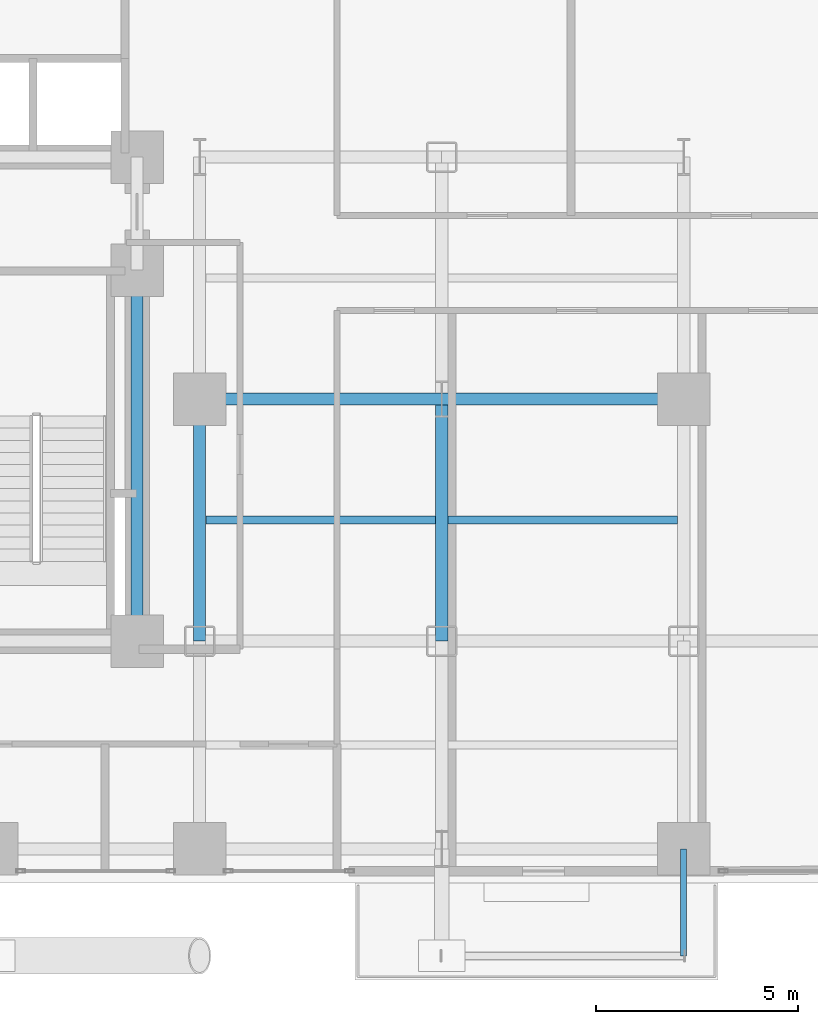
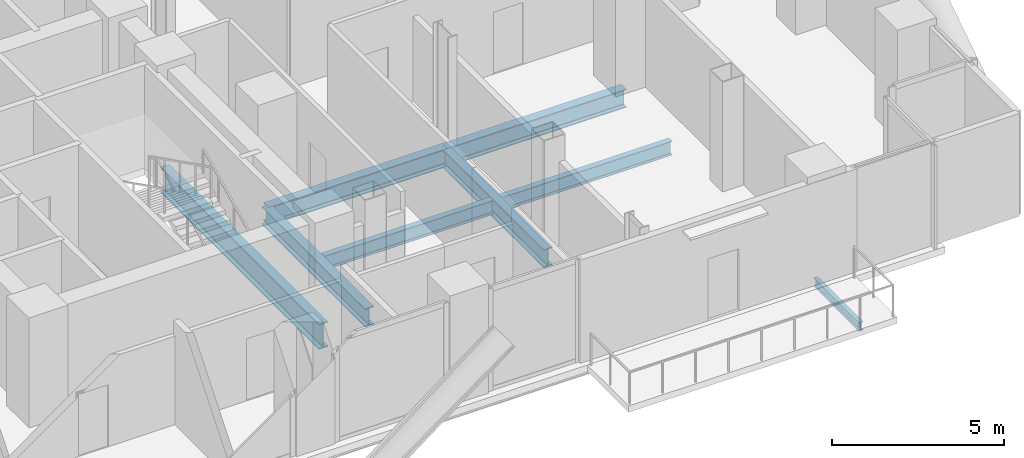
# One storey, part 9 of 27: 8 beams.
"""IFC4 building model written with IfcOpenShell, lengths in metres."""

from ifc_helpers import new_model, si_unit, direction, frame, origin, origin_2d, place, context, subcontext, project, spatial, i_section, extrude, material, material_profile, profile_set, type_object, element, save


model = new_model("IFC4")

# Units and contexts
model_context = context("Model", 3, precision=1e-05, world=origin(), true_north=direction((0.0, 1.0)))
body_context = subcontext(model_context, "Body", "Model", "MODEL_VIEW")
ifc_project = project(units=[si_unit("LENGTHUNIT", "METRE"), si_unit("AREAUNIT", "SQUARE_METRE"), si_unit("VOLUMEUNIT", "CUBIC_METRE"), si_unit("PLANEANGLEUNIT", "RADIAN"), si_unit("MASSUNIT", "GRAM", prefix="KILO"), si_unit("THERMODYNAMICTEMPERATUREUNIT", "KELVIN"), si_unit("POWERUNIT", "WATT")], contexts=[model_context])

# Site, building, storey
site_placement = place(None, origin())
site = spatial("IfcSite", under=ifc_project, at=site_placement, CompositionType="ELEMENT")
building_placement = place(site_placement, origin())
building = spatial("IfcBuilding", under=site, at=building_placement, Name="Svarakhadi Broadcast Tower", CompositionType="ELEMENT")
storey_placement = place(building_placement, frame((0.0, 0.0, 71.39990234375)))
storey = spatial("IfcBuildingStorey", under=building, at=storey_placement, Name="L16", CompositionType="ELEMENT", Elevation=71.39990234375)

# Beams
ifc_material_1 = material(Name="Steel S355J2 (IS 2062 E350C)", Category="steel")
ifc_material_profile_1 = material_profile(ifc_material_1, i_section(OverallWidth=0.199951171875, OverallDepth=0.5, WebThickness=0.01025390625, FlangeThickness=0.01611328125, FilletRadius=0.02099609375, at=origin_2d()), Name="NPB 500x200x91")
ifc_profile_set_1 = profile_set([ifc_material_profile_1], Name="Steel S355J2 (IS 2062 E350C)")
beam_type_1 = type_object("IfcBeamType", Name="Beam_NPB500", PredefinedType="BEAM", material=ifc_profile_set_1)
for number, where, z_axis, x_axis, name in (
    (1, (35.31005859375, 9.0, -0.5), (1.0, 0.0, 0.0), (0.0, 1.0, 0.0), "L16 Secondary Composite Beam SB023"),
    (2, (41.31005859375, 9.0, -0.5), (1.0, 0.0, 0.0), (0.0, 1.0, 0.0), "L16 Secondary Composite Beam SB026"),
):
    element("IfcBeam", number, at=place(storey_placement, frame(where, z_axis=z_axis, x_axis=x_axis)), inside=storey, type_object=beam_type_1, Name=name, PredefinedType="BEAM", context=body_context, shape_type="SweptSolid", body=[
        extrude(i_section(OverallWidth=0.199951171875, OverallDepth=0.5, WebThickness=0.01025390625, FlangeThickness=0.01611328125, FilletRadius=0.02099609375, at=origin_2d()), origin(), (0.0, 0.0, 1.0), 5.679931640625),
    ])
ifc_material_profile_2 = material_profile(ifc_material_1, i_section(OverallWidth=0.300048828125, OverallDepth=0.64990234375, WebThickness=0.01611328125, FlangeThickness=0.031005859375, FilletRadius=0.027099609375, at=origin_2d()), Name="WPB 650x300x225")
ifc_profile_set_2 = profile_set([ifc_material_profile_2], Name="Steel S355J2 (IS 2062 E350C)")
beam_type_2 = type_object("IfcBeamType", Name="Girder_WPB650", PredefinedType="USERDEFINED", material=ifc_profile_set_2)
for number, where, z_axis, x_axis, name in (
    (3, (35.14990234375, 12.0, -0.574951171875), (1.0, 0.0, 0.0), (0.0, 1.0, 0.0), "L16 Primary E-W Girder G023"),
    (4, (41.14990234375, 12.0, -0.574951171875), (1.0, 0.0, 0.0), (0.0, 1.0, 0.0), "L16 Primary E-W Girder G024"),
    (5, (35.14990234375, 6.0, -0.574951171875), (0.0, 1.0, 0.0), (-1.0, 0.0, 0.0), "L16 Primary N-S Girder G077"),
    (6, (41.14990234375, 6.0, -0.574951171875), (0.0, 1.0, 0.0), (-1.0, 0.0, 0.0), "L16 Primary N-S Girder G080"),
):
    element("IfcBeam", number, at=place(storey_placement, frame(where, z_axis=z_axis, x_axis=x_axis)), inside=storey, type_object=beam_type_2, Name=name, ObjectType="GIRDER", PredefinedType="USERDEFINED", context=body_context, shape_type="SweptSolid", body=[
        extrude(i_section(OverallWidth=0.300048828125, OverallDepth=0.64990234375, WebThickness=0.01611328125, FlangeThickness=0.031005859375, FilletRadius=0.027099609375, at=origin_2d()), origin(), (0.0, 0.0, 1.0), 6.0),
    ])
ifc_material_2 = material(Name="Steel S460ML (IS 2062 E450BR)", Category="steel")
ifc_material_profile_3 = material_profile(ifc_material_2, i_section(OverallWidth=0.300048828125, OverallDepth=0.89990234375, WebThickness=0.0185546875, FlangeThickness=0.034912109375, FilletRadius=0.030029296875, at=origin_2d()), Name="WPB 900x300x291")
ifc_profile_set_3 = profile_set([ifc_material_profile_3], Name="Steel S460ML (IS 2062 E450BR)")
beam_type_3 = type_object("IfcBeamType", Name="Girder_WPB900", PredefinedType="USERDEFINED", material=ifc_profile_set_3)
beam_1_placement = place(storey_placement, frame((33.60009765625, 6.0, -0.699951171875), z_axis=(0.0, 1.0, 0.0), x_axis=(-1.0, 0.0, 0.0)))
element("IfcBeam", 7, at=beam_1_placement, inside=storey, type_object=beam_type_3, Name="L16 Primary N-S Girder G074", ObjectType="GIRDER", PredefinedType="USERDEFINED", context=body_context, shape_type="SweptSolid", body=[
    extrude(i_section(OverallWidth=0.300048828125, OverallDepth=0.89990234375, WebThickness=0.0185546875, FlangeThickness=0.034912109375, FilletRadius=0.030029296875, at=origin_2d()), origin(), (0.0, 0.0, 1.0), 9.199951171875),
])
ifc_material_profile_4 = material_profile(ifc_material_1, i_section(OverallWidth=0.14990234375, OverallDepth=0.300048828125, WebThickness=0.007080078125, FlangeThickness=0.0107421875, FilletRadius=0.014892578125, at=origin_2d()), Name="NPB 300x150x37")
ifc_profile_set_4 = profile_set([ifc_material_profile_4], Name="Steel S355J2 (IS 2062 E350C)")
beam_type_4 = type_object("IfcBeamType", Name="Spandrel_NPB300", PredefinedType="SPANDREL", material=ifc_profile_set_4)
beam_2_placement = place(storey_placement, frame((47.14990234375, 0.85009765625, -0.39990234375), z_axis=(0.0, -1.0, 0.0), x_axis=(1.0, 0.0, 0.0)))
element("IfcBeam", 8, at=beam_2_placement, inside=storey, type_object=beam_type_4, Name="L16 Balcony Cantilever Bracket 1B", PredefinedType="SPANDREL", context=body_context, shape_type="SweptSolid", body=[
    extrude(i_section(OverallWidth=0.14990234375, OverallDepth=0.300048828125, WebThickness=0.007080078125, FlangeThickness=0.0107421875, FilletRadius=0.014892578125, at=origin_2d()), origin(), (0.0, 0.0, 1.0), 2.650146484375),
])

save(model, "model.ifc")
